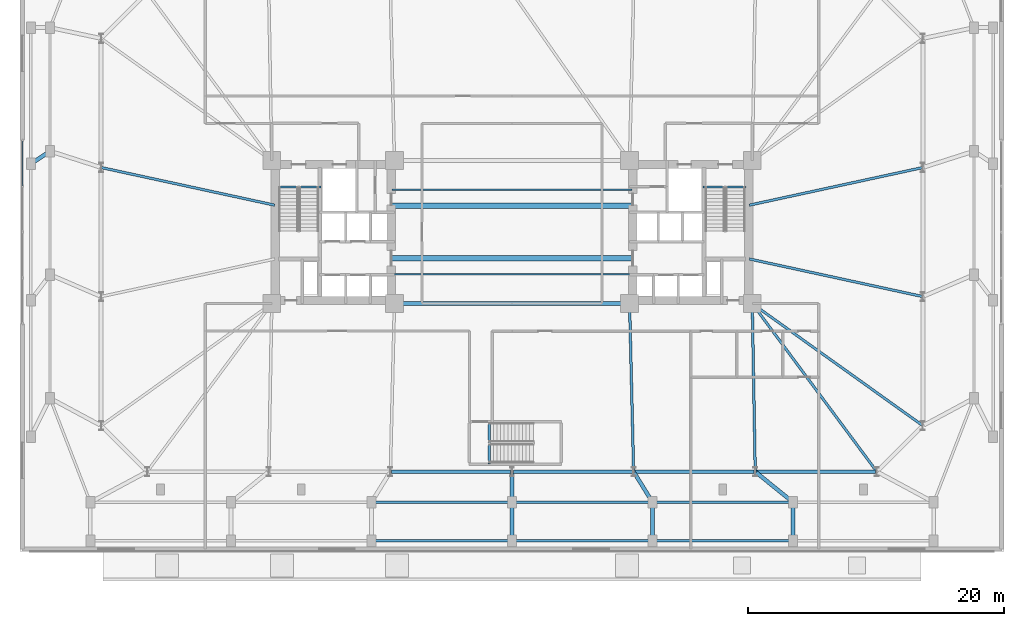
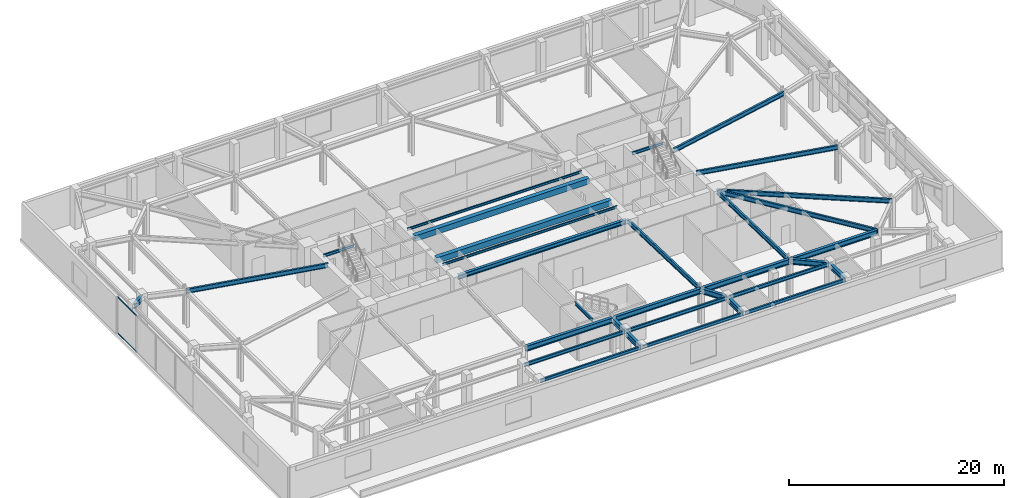
# One storey, part 8 of 21: 32 beams, 2 members, 1 element without a shape of its own.
"""IFC4 building model written with IfcOpenShell, lengths in metres."""

from ifc_helpers import new_model, si_unit, direction, frame, origin, origin_2d, place, context, subcontext, project, spatial, rectangle, hollow_rectangle, i_section, extrude, material, layer, layer_set, material_profile, profile_set, type_object, element, aggregate, save


model = new_model("IFC4")

# Units and contexts
model_context = context("Model", 3, precision=1e-05, world=origin(), true_north=direction((0.0, 1.0)))
body_context = subcontext(model_context, "Body", "Model", "MODEL_VIEW")
ifc_project = project(units=[si_unit("LENGTHUNIT", "METRE"), si_unit("AREAUNIT", "SQUARE_METRE"), si_unit("VOLUMEUNIT", "CUBIC_METRE"), si_unit("PLANEANGLEUNIT", "RADIAN"), si_unit("MASSUNIT", "GRAM", prefix="KILO")], contexts=[model_context])

# Site, building, storey
site_placement = place(None, origin())
site = spatial("IfcSite", under=ifc_project, at=site_placement, CompositionType="ELEMENT")
building_placement = place(site_placement, origin())
building = spatial("IfcBuilding", under=site, at=building_placement, Name="Qobustan Lattice House", CompositionType="ELEMENT")
storey_placement = place(building_placement, frame((0.0, 0.0, 4.5)))
storey = spatial("IfcBuildingStorey", under=building, at=storey_placement, Name="L01", CompositionType="ELEMENT", Elevation=4.5)

# Beams
ifc_material_1 = material(Name="Steel S355", Category="steel")
ifc_material_profile_1 = material_profile(ifc_material_1, i_section(OverallWidth=0.300048828125, OverallDepth=0.5, WebThickness=0.014404296875, FlangeThickness=0.028076171875, FilletRadius=0.027099609375, at=origin_2d()), Name="HEB500")
ifc_profile_set_1 = profile_set([ifc_material_profile_1], Name="Steel S355")
beam_type_1 = type_object("IfcBeamType", Name="BM-CG-HEB500", PredefinedType="USERDEFINED", material=ifc_profile_set_1)
beam_1_placement = place(storey_placement, frame((-9.050048828125, -5.60009765625, 3.919921875), z_axis=(1.0, 0.0, 0.0), x_axis=(0.0, 1.0, 0.0)))
element("IfcBeam", 1, at=beam_1_placement, inside=storey, type_object=beam_type_1, Name="L01 core spine girder CG-CS", ObjectType="GIRDER", PredefinedType="USERDEFINED", context=body_context, shape_type="SweptSolid", body=[
    extrude(i_section(OverallWidth=0.300048828125, OverallDepth=0.5, WebThickness=0.014404296875, FlangeThickness=0.028076171875, FilletRadius=0.027099609375, at=origin_2d()), origin(), (0.0, 0.0, 1.0), 18.10009765625),
])
ifc_material_2 = material(Name="Steel S355", Category="steel")
ifc_material_profile_2 = material_profile(ifc_material_2, i_section(OverallWidth=0.199951171875, OverallDepth=0.5, WebThickness=0.01025390625, FlangeThickness=0.01611328125, FilletRadius=0.02099609375, at=origin_2d()), Name="IPE500")
ifc_profile_set_2 = profile_set([ifc_material_profile_2], Name="Steel S355")
beam_type_2 = type_object("IfcBeamType", Name="BM-FLG-IPE500", PredefinedType="USERDEFINED", material=ifc_profile_set_2)
beam_2_placement = place(storey_placement, frame((9.51611328125, -18.72509765625, 3.919921875), z_axis=(-0.024071445657, 0.999710240772, 0.0), x_axis=(-0.999710240772, -0.024071445657, 0.0)))
element("IfcBeam", 2, at=beam_2_placement, inside=storey, type_object=beam_type_2, Name="L01 primary floor girder RAD-S5", ObjectType="GIRDER", PredefinedType="USERDEFINED", context=body_context, shape_type="SweptSolid", body=[
    extrude(i_section(OverallWidth=0.199951171875, OverallDepth=0.5, WebThickness=0.01025390625, FlangeThickness=0.01611328125, FilletRadius=0.02099609375, at=origin_2d()), origin(), (0.0, 0.0, 1.0), 13.10400390625),
])
beam_3_placement = place(storey_placement, frame((19.032958984375, -18.72509765625, 3.919921875), z_axis=(-0.017757831607, 0.999842317276, 0.0), x_axis=(-0.999842317276, -0.017757831607, 0.0)))
element("IfcBeam", 3, at=beam_3_placement, inside=storey, type_object=beam_type_2, Name="L01 primary floor girder RAD-S6", ObjectType="GIRDER", PredefinedType="USERDEFINED", context=body_context, shape_type="SweptSolid", body=[
    extrude(i_section(OverallWidth=0.199951171875, OverallDepth=0.5, WebThickness=0.01025390625, FlangeThickness=0.01611328125, FilletRadius=0.02099609375, at=origin_2d()), origin(), (0.0, 0.0, 1.0), 13.10205078125),
])
beam_4_placement = place(storey_placement, frame((28.53515625, -18.72998046875, 3.919921875), z_axis=(-0.5955916815, 0.803287338956, 0.0), x_axis=(-0.803287338956, -0.5955916815, 0.0)))
element("IfcBeam", 4, at=beam_4_placement, inside=storey, type_object=beam_type_2, Name="L01 primary floor girder RAD-S7E", ObjectType="GIRDER", PredefinedType="USERDEFINED", context=body_context, shape_type="SweptSolid", body=[
    extrude(i_section(OverallWidth=0.199951171875, OverallDepth=0.5, WebThickness=0.01025390625, FlangeThickness=0.01611328125, FilletRadius=0.02099609375, at=origin_2d()), origin(), (0.0, 0.0, 1.0), 16.3203125),
])
for number, where, z_axis, x_axis, name in (
    (5, (-32.12548828125, 5.044677734375, 3.919921875), (0.97727240275, -0.211987383643, 0.0), (0.211987383643, 0.97727240275, 0.0), "L01 primary floor girder RAD-W2"),
    (6, (32.12548828125, 5.044677734375, 3.919921875), (-0.97727240275, -0.211987383643, 0.0), (0.211987383643, -0.97727240275, 0.0), "L01 primary floor girder RAD-E3"),
    (7, (32.12548828125, -5.044677734375, 3.919921875), (-0.97727240275, 0.211987383643, 0.0), (-0.211987383643, -0.97727240275, 0.0), "L01 primary floor girder RAD-E2"),
):
    element("IfcBeam", number, at=place(storey_placement, frame(where, z_axis=z_axis, x_axis=x_axis)), inside=storey, type_object=beam_type_2, Name=name, ObjectType="GIRDER", PredefinedType="USERDEFINED", context=body_context, shape_type="SweptSolid", body=[
        extrude(i_section(OverallWidth=0.199951171875, OverallDepth=0.5, WebThickness=0.01025390625, FlangeThickness=0.01611328125, FilletRadius=0.02099609375, at=origin_2d()), origin(), (0.0, 0.0, 1.0), 13.8662109375),
    ])
beam_5_placement = place(storey_placement, frame((32.129638671875, -15.135498046875, 3.919921875), z_axis=(-0.813318954893, 0.581818079481, 0.0), x_axis=(-0.581818079481, -0.813318954893, 0.0)))
element("IfcBeam", 8, at=beam_5_placement, inside=storey, type_object=beam_type_2, Name="L01 primary floor girder RAD-E1", ObjectType="GIRDER", PredefinedType="USERDEFINED", context=body_context, shape_type="SweptSolid", body=[
    extrude(i_section(OverallWidth=0.199951171875, OverallDepth=0.5, WebThickness=0.01025390625, FlangeThickness=0.01611328125, FilletRadius=0.02099609375, at=origin_2d()), origin(), (0.0, 0.0, 1.0), 16.3642578125),
])
ifc_material_3 = material(Name="Steel S355", Category="steel")
ifc_material_profile_3 = material_profile(ifc_material_3, i_section(OverallWidth=0.135009765625, OverallDepth=0.27001953125, WebThickness=0.006591796875, FlangeThickness=0.01025390625, FilletRadius=0.014892578125, at=origin_2d()), Name="IPE270")
ifc_profile_set_3 = profile_set([ifc_material_profile_3], Name="Steel S355")
beam_type_3 = type_object("IfcBeamType", Name="BM-JST-IPE270", PredefinedType="JOIST", material=ifc_profile_set_3)
for number, where, z_axis, x_axis, name in (
    (9, (-9.39990234375, -3.300048828125, 4.034912109375), (1.0, 0.0, 0.0), (0.0, 1.0, 0.0), "L01 central span floor joist 1"),
    (10, (-9.39990234375, 3.300048828125, 4.034912109375), (1.0, 0.0, 0.0), (0.0, 1.0, 0.0), "L01 central span floor joist 2"),
):
    element("IfcBeam", number, at=place(storey_placement, frame(where, z_axis=z_axis, x_axis=x_axis)), inside=storey, type_object=beam_type_3, Name=name, PredefinedType="JOIST", context=body_context, shape_type="SweptSolid", body=[
        extrude(i_section(OverallWidth=0.135009765625, OverallDepth=0.27001953125, WebThickness=0.006591796875, FlangeThickness=0.01025390625, FilletRadius=0.014892578125, at=origin_2d()), origin(), (0.0, 0.0, 1.0), 18.7998046875),
    ])
ifc_material_4 = material(Name="Concrete C50/60", Category="concrete")
ifc_material_profile_4 = material_profile(ifc_material_4, rectangle(XDim=0.449951171875, YDim=0.64990234375, at=origin_2d()), Name="RC450x650")
ifc_profile_set_4 = profile_set([ifc_material_profile_4], Name="Concrete C50/60")
beam_type_4 = type_object("IfcBeamType", Name="BM-LINTEL-450x650", PredefinedType="LINTEL", material=ifc_profile_set_4)
for number, where, z_axis, x_axis, name in (
    (11, (-9.39990234375, -2.050048828125, 3.844970703125), (1.0, 0.0, 0.0), (0.0, 1.0, 0.0), "L01 reinforced concrete portal lintel LN-W1"),
    (12, (-9.39990234375, 2.050048828125, 3.844970703125), (1.0, 0.0, 0.0), (0.0, 1.0, 0.0), "L01 reinforced concrete portal lintel LN-E1"),
):
    element("IfcBeam", number, at=place(storey_placement, frame(where, z_axis=z_axis, x_axis=x_axis)), inside=storey, type_object=beam_type_4, Name=name, PredefinedType="LINTEL", context=body_context, shape_type="SweptSolid", body=[
        extrude(rectangle(XDim=0.449951171875, YDim=0.64990234375, at=origin_2d()), origin(), (0.0, 0.0, 1.0), 18.7998046875),
    ])
ifc_material_5 = material(Name="Steel S355", Category="steel")
ifc_material_profile_5 = material_profile(ifc_material_5, i_section(OverallWidth=0.300048828125, OverallDepth=0.60009765625, WebThickness=0.015380859375, FlangeThickness=0.030029296875, FilletRadius=0.027099609375, at=origin_2d()), Name="HEB600")
ifc_profile_set_5 = profile_set([ifc_material_profile_5], Name="Steel S355")
beam_type_5 = type_object("IfcBeamType", Name="BM-POD-HEB600", PredefinedType="USERDEFINED", material=ifc_profile_set_5)
for number, where, z_axis, x_axis, name in (
    (13, (0.0, -24.030029296875, 3.8701171875), (0.0, 1.0, 0.0), (-1.0, 0.0, 0.0), "L01 south terrace tie girder 4"),
    (14, (11.0, -24.030029296875, 3.8701171875), (0.0, 1.0, 0.0), (-1.0, 0.0, 0.0), "L01 south terrace tie girder 5"),
    (15, (22.0, -24.030029296875, 3.8701171875), (0.0, 1.0, 0.0), (-1.0, 0.0, 0.0), "L01 south terrace tie girder 6"),
):
    element("IfcBeam", number, at=place(storey_placement, frame(where, z_axis=z_axis, x_axis=x_axis)), inside=storey, type_object=beam_type_5, Name=name, ObjectType="GIRDER", PredefinedType="USERDEFINED", context=body_context, shape_type="SweptSolid", body=[
        extrude(i_section(OverallWidth=0.300048828125, OverallDepth=0.60009765625, WebThickness=0.015380859375, FlangeThickness=0.030029296875, FilletRadius=0.027099609375, at=origin_2d()), origin(), (0.0, 0.0, 1.0), 2.760009765625),
    ])
beam_6_placement = place(storey_placement, frame((-37.55029296875, 5.39990234375, 3.8701171875), z_axis=(0.832074324237, 0.554664149684, 0.0), x_axis=(-0.554664149684, 0.832074324237, 0.0)))
element("IfcBeam", 16, at=beam_6_placement, inside=storey, type_object=beam_type_5, Name="L01 setback tie girder PWL3", ObjectType="GIRDER", PredefinedType="USERDEFINED", context=body_context, shape_type="SweptSolid", body=[
    extrude(i_section(OverallWidth=0.300048828125, OverallDepth=0.60009765625, WebThickness=0.015380859375, FlangeThickness=0.030029296875, FilletRadius=0.027099609375, at=origin_2d()), origin(), (0.0, 0.0, 1.0), 1.56298828125),
])
for number, where, z_axis, x_axis, name in (
    (17, (-9.416748046875, -18.75, 3.8701171875), (1.0, 0.0, 0.0), (0.0, 1.0, 0.0), "L01 tower base ring girder S3-S4"),
    (18, (0.10009765625, -18.75, 3.8701171875), (1.0, 0.0, 0.0), (0.0, 1.0, 0.0), "L01 tower base ring girder S4-S5"),
    (19, (9.61669921875, -18.75, 3.8701171875), (1.0, 0.0, 0.0), (0.0, 1.0, 0.0), "L01 tower base ring girder S5-S6"),
    (20, (19.13330078125, -18.75, 3.8701171875), (1.0, 0.0, 0.0), (0.0, 1.0, 0.0), "L01 tower base ring girder S6-S7"),
):
    element("IfcBeam", number, at=place(storey_placement, frame(where, z_axis=z_axis, x_axis=x_axis)), inside=storey, type_object=beam_type_5, Name=name, ObjectType="GIRDER", PredefinedType="USERDEFINED", context=body_context, shape_type="SweptSolid", body=[
        extrude(i_section(OverallWidth=0.300048828125, OverallDepth=0.60009765625, WebThickness=0.015380859375, FlangeThickness=0.030029296875, FilletRadius=0.027099609375, at=origin_2d()), origin(), (0.0, 0.0, 1.0), 9.316650390625),
    ])
beam_7_placement = place(storey_placement, frame((0.0, -21.030029296875, 3.8701171875), z_axis=(0.0, 1.0, 0.0), x_axis=(-1.0, 0.0, 0.0)))
element("IfcBeam", 21, at=beam_7_placement, inside=storey, type_object=beam_type_5, Name="L01 podium radial girder PS4", ObjectType="GIRDER", PredefinedType="USERDEFINED", context=body_context, shape_type="SweptSolid", body=[
    extrude(i_section(OverallWidth=0.300048828125, OverallDepth=0.60009765625, WebThickness=0.015380859375, FlangeThickness=0.030029296875, FilletRadius=0.027099609375, at=origin_2d()), origin(), (0.0, 0.0, 1.0), 2.179931640625),
])
beam_8_placement = place(storey_placement, frame((10.93701171875, -21.0478515625, 3.8701171875), z_axis=(-0.525782588011, 0.850618992349, 0.0), x_axis=(-0.850618992349, -0.525782588011, 0.0)))
element("IfcBeam", 22, at=beam_8_placement, inside=storey, type_object=beam_type_5, Name="L01 podium radial girder PS5", ObjectType="GIRDER", PredefinedType="USERDEFINED", context=body_context, shape_type="SweptSolid", body=[
    extrude(i_section(OverallWidth=0.300048828125, OverallDepth=0.60009765625, WebThickness=0.015380859375, FlangeThickness=0.030029296875, FilletRadius=0.027099609375, at=origin_2d()), origin(), (0.0, 0.0, 1.0), 2.601318359375),
])
beam_9_placement = place(storey_placement, frame((21.90673828125, -21.074462890625, 3.8701171875), z_axis=(-0.777472502595, 0.62891693228, 0.0), x_axis=(-0.62891693228, -0.777472502595, 0.0)))
element("IfcBeam", 23, at=beam_9_placement, inside=storey, type_object=beam_type_5, Name="L01 podium radial girder PS6", ObjectType="GIRDER", PredefinedType="USERDEFINED", context=body_context, shape_type="SweptSolid", body=[
    extrude(i_section(OverallWidth=0.300048828125, OverallDepth=0.60009765625, WebThickness=0.015380859375, FlangeThickness=0.030029296875, FilletRadius=0.027099609375, at=origin_2d()), origin(), (0.0, 0.0, 1.0), 3.595703125),
])
ifc_material_6 = material(Name="Steel S355", Category="steel")
ifc_material_profile_6 = material_profile(ifc_material_6, i_section(OverallWidth=0.159912109375, OverallDepth=0.330078125, WebThickness=0.007568359375, FlangeThickness=0.011474609375, FilletRadius=0.01806640625, at=origin_2d()), Name="IPE330")
ifc_profile_set_6 = profile_set([ifc_material_profile_6], Name="Steel S355")
beam_type_6 = type_object("IfcBeamType", Name="BM-SPD-IPE330", PredefinedType="SPANDREL", material=ifc_profile_set_6)
for number, where, z_axis, x_axis, name in (
    (24, (-18.300048828125, 3.52001953125, 4.0048828125), (1.0, 0.0, 0.0), (0.0, 1.0, 0.0), "L01 west stair landing trimmer beam"),
    (25, (14.949951171875, 3.52001953125, 4.0048828125), (1.0, 0.0, 0.0), (0.0, 1.0, 0.0), "L01 east stair landing trimmer beam"),
):
    element("IfcBeam", number, at=place(storey_placement, frame(where, z_axis=z_axis, x_axis=x_axis)), inside=storey, type_object=beam_type_6, Name=name, PredefinedType="SPANDREL", context=body_context, shape_type="SweptSolid", body=[
        extrude(i_section(OverallWidth=0.159912109375, OverallDepth=0.330078125, WebThickness=0.007568359375, FlangeThickness=0.011474609375, FilletRadius=0.01806640625, at=origin_2d()), origin(), (0.0, 0.0, 1.0), 3.35009765625),
    ])
beam_10_placement = place(storey_placement, frame((-1.780029296875, -18.139892578125, 4.0048828125), z_axis=(0.0, 1.0, 0.0), x_axis=(-1.0, 0.0, 0.0)))
element("IfcBeam", 26, at=beam_10_placement, inside=storey, type_object=beam_type_6, Name="L01 podium stair landing trimmer beam", PredefinedType="SPANDREL", context=body_context, shape_type="SweptSolid", body=[
    extrude(i_section(OverallWidth=0.159912109375, OverallDepth=0.330078125, WebThickness=0.007568359375, FlangeThickness=0.011474609375, FilletRadius=0.01806640625, at=origin_2d()), origin(), (0.0, 0.0, 1.0), 3.27978515625),
])
ifc_material_7 = material(Name="Steel S355", Category="steel")
ifc_material_profile_7 = material_profile(ifc_material_7, i_section(OverallWidth=0.179931640625, OverallDepth=0.39990234375, WebThickness=0.008544921875, FlangeThickness=0.013427734375, FilletRadius=0.02099609375, at=origin_2d()), Name="IPE400")
ifc_profile_set_7 = profile_set([ifc_material_profile_7], Name="Steel S355")
beam_type_7 = type_object("IfcBeamType", Name="BM-SPD-IPE400", PredefinedType="SPANDREL", material=ifc_profile_set_7)
for number, where, z_axis, x_axis, name in (
    (27, (-10.8798828125, -21.14990234375, 3.969970703125), (1.0, 0.0, 0.0), (0.0, 1.0, 0.0), "L01 podium spandrel PS3-PS4"),
    (28, (0.1201171875, -21.14990234375, 3.969970703125), (1.0, 0.0, 0.0), (0.0, 1.0, 0.0), "L01 podium spandrel PS4-PS5"),
    (29, (11.1201171875, -21.14990234375, 3.969970703125), (1.0, 0.0, 0.0), (0.0, 1.0, 0.0), "L01 podium spandrel PS5-PS6"),
    (30, (-10.8798828125, -24.14990234375, 3.969970703125), (1.0, 0.0, 0.0), (0.0, 1.0, 0.0), "L01 lower podium spandrel PSL3-PSL4"),
    (31, (0.1201171875, -24.14990234375, 3.969970703125), (1.0, 0.0, 0.0), (0.0, 1.0, 0.0), "L01 lower podium spandrel PSL4-PSL5"),
    (32, (11.1201171875, -24.14990234375, 3.969970703125), (1.0, 0.0, 0.0), (0.0, 1.0, 0.0), "L01 lower podium spandrel PSL5-PSL6"),
):
    element("IfcBeam", number, at=place(storey_placement, frame(where, z_axis=z_axis, x_axis=x_axis)), inside=storey, type_object=beam_type_7, Name=name, PredefinedType="SPANDREL", context=body_context, shape_type="SweptSolid", body=[
        extrude(i_section(OverallWidth=0.179931640625, OverallDepth=0.39990234375, WebThickness=0.008544921875, FlangeThickness=0.013427734375, FilletRadius=0.02099609375, at=origin_2d()), origin(), (0.0, 0.0, 1.0), 10.759765625),
    ])

# Curtain wall, members
ifc_material_8 = material(Name="Anodised aluminium and low-E glazing", Category="aluminium")
ifc_layer = layer(ifc_material_8, 0.219970703125)
ifc_layer_set = layer_set([ifc_layer], Name="Anodised aluminium and low-E glazing")
curtain_wall_type = type_object("IfcCurtainWallType", Name="CW-POD-01", PredefinedType="USERDEFINED", material=ifc_layer_set)
curtain_wall_placement = place(storey_placement, origin())
curtain_wall = element("IfcCurtainWall", 33, at=curtain_wall_placement, inside=storey, type_object=curtain_wall_type, Name="L01 W podium colonnade curtain wall", ObjectType="CURTAIN WALL", PredefinedType="USERDEFINED")
ifc_material_9 = material(Name="Anodised aluminium EN AW-6063 T6", Category="aluminium")
ifc_material_profile_8 = material_profile(ifc_material_9, hollow_rectangle(XDim=0.06494140625, YDim=0.159912109375, WallThickness=0.00390625, at=origin_2d()), Name="CWT-160x65")
ifc_profile_set_8 = profile_set([ifc_material_profile_8], Name="Anodised aluminium EN AW-6063 T6")
member_type = type_object("IfcMemberType", Name="CWT-HOR-160", PredefinedType="USERDEFINED", material=ifc_profile_set_8)
member_1_placement = place(storey_placement, frame((-38.300048828125, 3.639892578125, 0.032470703125), z_axis=(0.0, 1.0, 0.0), x_axis=(-1.0, 0.0, 0.0)))
member_1 = element("IfcMember", 34, at=member_1_placement, type_object=member_type, Name="CW-P1 transom 4.1", ObjectType="TRANSOM", PredefinedType="USERDEFINED", context=body_context, shape_type="SweptSolid", body=[
    extrude(hollow_rectangle(XDim=0.06494140625, YDim=0.159912109375, WallThickness=0.00390625, at=origin_2d()), origin(), (0.0, 0.0, 1.0), 3.480224609375),
])
member_2_placement = place(storey_placement, frame((-38.300048828125, 3.639892578125, 4.137451171875), z_axis=(0.0, 1.0, 0.0), x_axis=(-1.0, 0.0, 0.0)))
member_2 = element("IfcMember", 35, at=member_2_placement, type_object=member_type, Name="CW-P1 transom 4.2", ObjectType="TRANSOM", PredefinedType="USERDEFINED", context=body_context, shape_type="SweptSolid", body=[
    extrude(hollow_rectangle(XDim=0.06494140625, YDim=0.159912109375, WallThickness=0.00390625, at=origin_2d()), origin(), (0.0, 0.0, 1.0), 3.480224609375),
])
aggregate(curtain_wall, [member_1, member_2])

save(model, "model.ifc")
